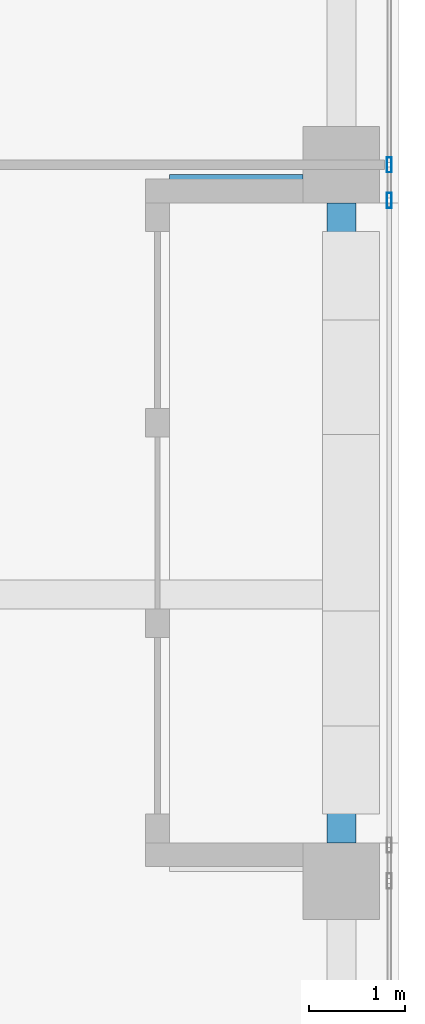
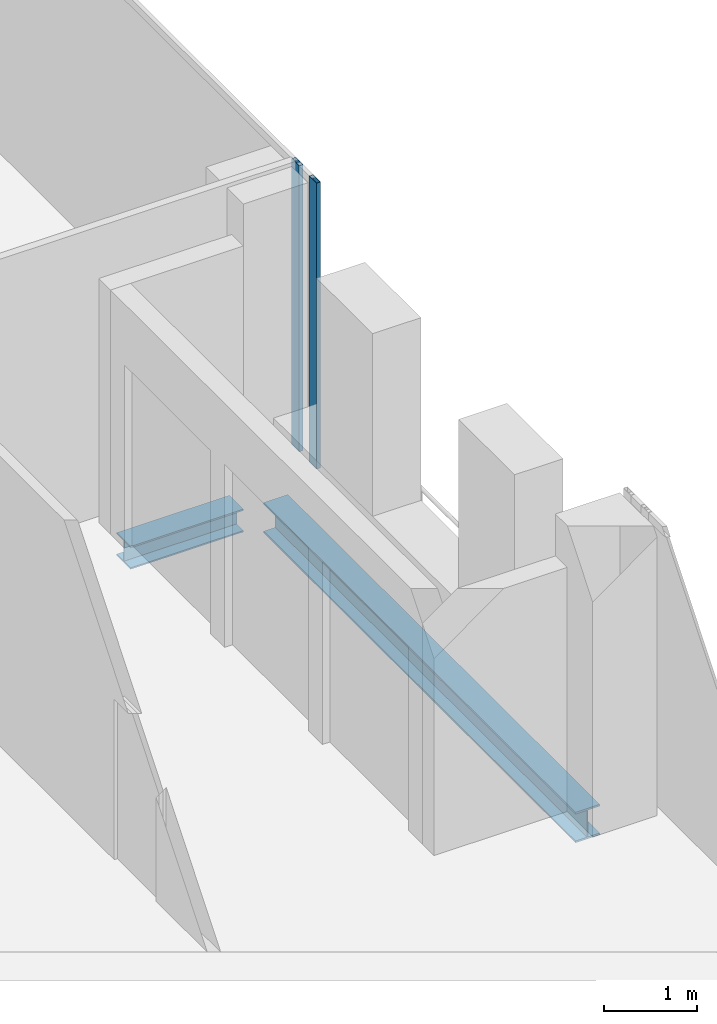
# One storey, part 11 of 29: 2 beams, 2 members, 1 element without a shape of its own.
"""IFC4 building model written with IfcOpenShell, lengths in metres."""

from ifc_helpers import new_model, si_unit, direction, frame, origin, origin_2d, place, context, subcontext, project, spatial, hollow_rectangle, i_section, extrude, source, transform, mapped, material, material_profile, profile_set, type_object, element, aggregate, save


model = new_model("IFC4")

# Units and contexts
model_context = context("Model", 3, precision=1e-05, world=origin(), true_north=direction((0.0, 1.0)))
body_context = subcontext(model_context, "Body", "Model", "MODEL_VIEW")
ifc_project = project(units=[si_unit("LENGTHUNIT", "METRE"), si_unit("AREAUNIT", "SQUARE_METRE"), si_unit("VOLUMEUNIT", "CUBIC_METRE"), si_unit("PLANEANGLEUNIT", "RADIAN"), si_unit("MASSUNIT", "GRAM", prefix="KILO")], contexts=[model_context])

# Site, building, storey
site_placement = place(None, origin())
site = spatial("IfcSite", under=ifc_project, at=site_placement, CompositionType="ELEMENT")
building_placement = place(site_placement, origin())
building = spatial("IfcBuilding", under=site, at=building_placement, Name="Khomas Fold Tower", CompositionType="ELEMENT")
storey_placement = place(building_placement, frame((0.0, 0.0, 326.199951171875)))
storey = spatial("IfcBuildingStorey", under=building, at=storey_placement, Name="L74", CompositionType="ELEMENT", Elevation=326.199951171875)

# Beams
ifc_material_1 = material(Name="Steel S355", Category="steel")
ifc_material_profile_1 = material_profile(ifc_material_1, i_section(OverallWidth=0.300048828125, OverallDepth=0.39990234375, WebThickness=0.013427734375, FlangeThickness=0.02392578125, at=origin_2d()), Name="HE 400 B")
ifc_profile_set_1 = profile_set([ifc_material_profile_1], Name="Steel S355")
beam_type_1 = type_object("IfcBeamType", Name="HE 400 B spandrel SB5", PredefinedType="SPANDREL", material=ifc_profile_set_1)
shared_shape_1 = source(origin(), body_context, "Body", "SweptSolid", [
    extrude(i_section(OverallWidth=0.300048828125, OverallDepth=0.39990234375, WebThickness=0.013427734375, FlangeThickness=0.02392578125, at=origin_2d()), origin(), (0.0, 0.0, 1.0), 6.7001953125),
])
beam_1_placement = place(storey_placement, frame((47.39990234375, 19.89990234375, -0.449951171875), z_axis=(0.0, 1.0, 0.0), x_axis=(-1.0, 0.0, 0.0)))
element("IfcBeam", 1, at=beam_1_placement, inside=storey, type_object=beam_type_1, Name="SB5", PredefinedType="SPANDREL", context=body_context, shape_type="MappedRepresentation", body=[
    mapped(shared_shape_1, transform((0.0, 0.0, 0.0))),
])
ifc_material_2 = material(Name="Steel S355", Category="steel")
ifc_material_profile_2 = material_profile(ifc_material_2, i_section(OverallWidth=0.300048828125, OverallDepth=0.300048828125, WebThickness=0.010986328125, FlangeThickness=0.01904296875, at=origin_2d()), Name="HE 300 B")
ifc_profile_set_2 = profile_set([ifc_material_profile_2], Name="Steel S355")
beam_type_2 = type_object("IfcBeamType", Name="HE 300 B beam BB1", PredefinedType="BEAM", material=ifc_profile_set_2)
shared_shape_2 = source(origin(), body_context, "Body", "SweptSolid", [
    extrude(i_section(OverallWidth=0.300048828125, OverallDepth=0.300048828125, WebThickness=0.010986328125, FlangeThickness=0.01904296875, at=origin_2d()), origin(), (0.0, 0.0, 1.0), 1.39990234375),
])
beam_2_placement = place(storey_placement, frame((45.60009765625, 26.75, -0.39990234375), z_axis=(1.0, 0.0, 0.0), x_axis=(0.0, 1.0, 0.0)))
element("IfcBeam", 2, at=beam_2_placement, inside=storey, type_object=beam_type_2, Name="BB1", PredefinedType="BEAM", context=body_context, shape_type="MappedRepresentation", body=[
    mapped(shared_shape_2, transform((0.0, 0.0, 0.0))),
])

# Curtain wall, members
ifc_material_3 = material(Name="Aluminium framed double glazing", Category="aluminium")
curtain_wall_type = type_object("IfcCurtainWallType", Name="SK-Unitised clear-glass wall, upper floors CW3", PredefinedType="NOTDEFINED", material=ifc_material_3)
curtain_wall_placement = place(storey_placement, origin())
curtain_wall = element("IfcCurtainWall", 3, at=curtain_wall_placement, inside=storey, type_object=curtain_wall_type, Name="CW3 run L74 03-1", PredefinedType="NOTDEFINED")
ifc_material_4 = material(Name="Aluminium", Category="aluminium")
ifc_material_profile_3 = material_profile(ifc_material_4, hollow_rectangle(XDim=0.050048828125, YDim=0.159912109375, WallThickness=0.00390625, at=origin_2d()), Name="SK-Unitised clear-glass wall, upper floors mullion CW3-M")
ifc_profile_set_3 = profile_set([ifc_material_profile_3], Name="Aluminium")
member_type = type_object("IfcMemberType", Name="SK-Unitised clear-glass wall, upper floors mullion CW3-M", PredefinedType="MULLION", material=ifc_profile_set_3)
shared_shape_3 = source(origin(), body_context, "Body", "SweptSolid", [
    extrude(hollow_rectangle(XDim=0.050048828125, YDim=0.159912109375, WallThickness=0.00390625, at=origin_2d()), origin(), (0.0, 0.0, 1.0), 3.75),
])
member_1_placement = place(storey_placement, frame((47.89990234375, 26.625, 0.0), z_axis=(0.0, 0.0, 1.0), x_axis=(-1.0, 0.0, 0.0)))
member_1 = element("IfcMember", 4, at=member_1_placement, type_object=member_type, Name="CW3 mullion 1", PredefinedType="MULLION", context=body_context, shape_type="MappedRepresentation", body=[
    mapped(shared_shape_3, transform((0.0, 0.0, 0.0))),
])
member_2_placement = place(storey_placement, frame((47.89990234375, 27.0, 0.0), z_axis=(0.0, 0.0, 1.0), x_axis=(-1.0, 0.0, 0.0)))
member_2 = element("IfcMember", 5, at=member_2_placement, type_object=member_type, Name="CW3 mullion 2", PredefinedType="MULLION", context=body_context, shape_type="MappedRepresentation", body=[
    mapped(shared_shape_3, transform((0.0, 0.0, 0.0))),
])
aggregate(curtain_wall, [member_1, member_2])

save(model, "model.ifc")
